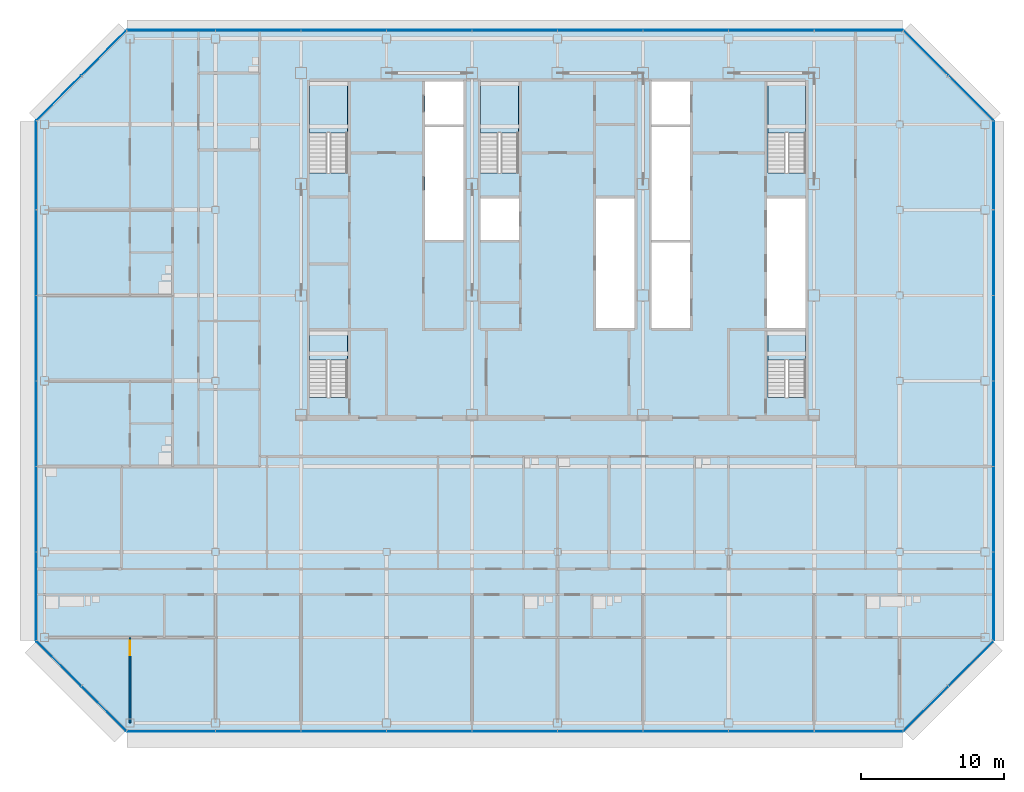
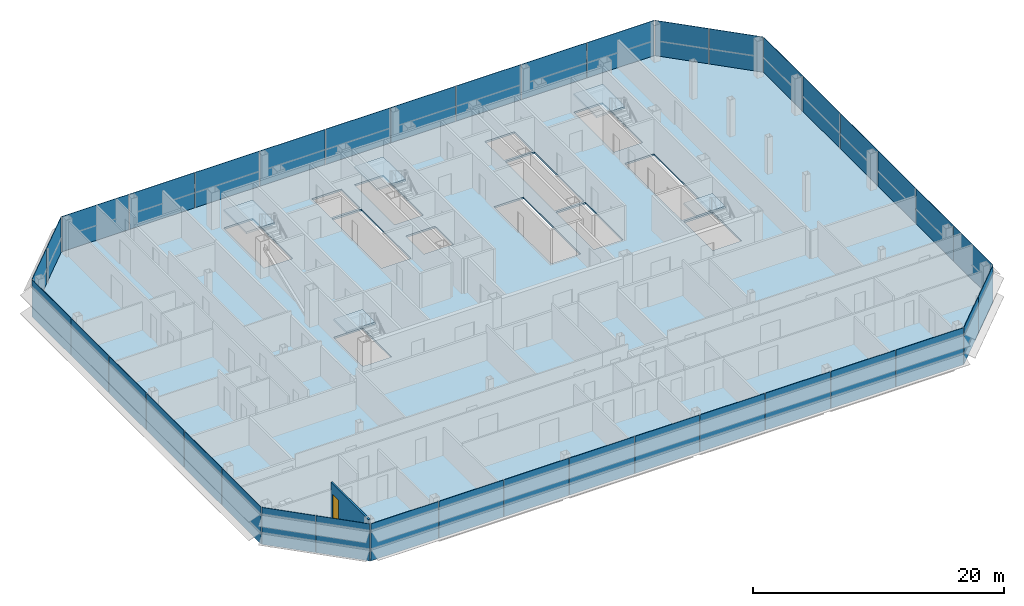
# One storey, part 20 of 28: 38 plates, 6 slabs, 1 door, 1 wall, 1 opening, 13 elements without a shape of their own.
"""IFC4 building model written with IfcOpenShell, lengths in metres."""

from ifc_helpers import new_model, si_unit, direction, frame, frame_2d, origin, origin_2d, place, context, subcontext, project, spatial, polyline, rectangle, outline, extrude, material, layer, layer_set, type_object, element, fill, aggregate, save


model = new_model("IFC4")

# Units and contexts
model_context = context("Model", 3, precision=1e-05, world=origin(), true_north=direction((0.0, 1.0)))
body_context = subcontext(model_context, "Body", "Model", "MODEL_VIEW")
ifc_project = project(units=[si_unit("LENGTHUNIT", "METRE"), si_unit("AREAUNIT", "SQUARE_METRE"), si_unit("VOLUMEUNIT", "CUBIC_METRE"), si_unit("PLANEANGLEUNIT", "RADIAN"), si_unit("MASSUNIT", "GRAM", prefix="KILO")], contexts=[model_context])

# Site, building, storey
site_placement = place(None, origin())
site = spatial("IfcSite", under=ifc_project, at=site_placement, CompositionType="ELEMENT")
building_placement = place(site_placement, origin())
building = spatial("IfcBuilding", under=site, at=building_placement, Name="Sorahane Residences", CompositionType="ELEMENT")
storey_placement = place(building_placement, frame((0.0, 0.0, 270.199951171875)))
storey = spatial("IfcBuildingStorey", under=building, at=storey_placement, Name="L64", CompositionType="ELEMENT", Elevation=270.199951171875)

# Slab
ifc_material_1 = material(Name="Concrete C35", Category="concrete")
ifc_layer_1 = layer(ifc_material_1, 0.179931640625)
ifc_layer_set_1 = layer_set([ifc_layer_1], Name="Composite floor slab 180 mm Concrete C35")
slab_type_1 = type_object("IfcSlabType", Name="Composite floor slab 180 mm Concrete C35", PredefinedType="FLOOR", material=ifc_layer_set_1)
slab_1_placement = place(storey_placement, frame((0.0, 0.0, -0.179931640625)))
element("IfcSlab", 1, at=slab_1_placement, inside=storey, type_object=slab_type_1, Name="Slab L64", PredefinedType="FLOOR", context=body_context, shape_type="SweptSolid", body=[
    extrude(outline(polyline([(-6.24853515625, -0.60009765625), (-12.60009765625, 5.75146484375), (-12.60009765625, 42.24853515625), (-6.24853515625, 48.60009765625), (48.24853515625, 48.60009765625), (54.60009765625, 42.24853515625), (54.60009765625, 5.75146484375), (48.24853515625, -0.60009765625), (-6.24853515625, -0.60009765625)]), holes=[polyline([(38.699951171875, 27.699951171875), (41.39990234375, 27.699951171875), (41.39990234375, 36.800048828125), (38.699951171875, 36.800048828125), (38.699951171875, 27.699951171875)]), polyline([(30.60009765625, 27.699951171875), (33.300048828125, 27.699951171875), (33.300048828125, 33.699951171875), (30.60009765625, 33.699951171875), (30.60009765625, 27.699951171875)]), polyline([(30.60009765625, 42.0), (33.300048828125, 42.0), (33.300048828125, 45.0), (30.60009765625, 45.0), (30.60009765625, 42.0)]), polyline([(14.699951171875, 42.0), (17.39990234375, 42.0), (17.39990234375, 45.0), (14.699951171875, 45.0), (14.699951171875, 42.0)]), polyline([(9.25, 38.60009765625), (9.25, 45.0), (6.60009765625, 45.0), (6.60009765625, 38.60009765625), (9.25, 38.60009765625)]), polyline([(41.39990234375, 38.60009765625), (41.39990234375, 45.0), (38.75, 45.0), (38.75, 38.60009765625), (41.39990234375, 38.60009765625)]), polyline([(21.25, 38.60009765625), (21.25, 45.0), (18.60009765625, 45.0), (18.60009765625, 38.60009765625), (21.25, 38.60009765625)]), polyline([(9.25, 22.85009765625), (9.25, 27.5), (6.60009765625, 27.5), (6.60009765625, 22.85009765625), (9.25, 22.85009765625)]), polyline([(41.39990234375, 22.85009765625), (41.39990234375, 27.5), (38.75, 27.5), (38.75, 22.85009765625), (41.39990234375, 22.85009765625)]), polyline([(14.699951171875, 33.89990234375), (17.39990234375, 33.89990234375), (17.39990234375, 41.800048828125), (14.699951171875, 41.800048828125), (14.699951171875, 33.89990234375)]), polyline([(30.60009765625, 33.89990234375), (33.300048828125, 33.89990234375), (33.300048828125, 41.800048828125), (30.60009765625, 41.800048828125), (30.60009765625, 33.89990234375)]), polyline([(18.60009765625, 33.89990234375), (21.300048828125, 33.89990234375), (21.300048828125, 36.800048828125), (18.60009765625, 36.800048828125), (18.60009765625, 33.89990234375)]), polyline([(26.699951171875, 27.699951171875), (29.39990234375, 27.699951171875), (29.39990234375, 36.800048828125), (26.699951171875, 36.800048828125), (26.699951171875, 27.699951171875)])]), origin(), (0.0, 0.0, 1.0), 0.179931640625),
])

# Curtain wall, plates
ifc_material_2 = material(Name="Dark low-e glass and black anodised aluminium", Category="aluminium")
curtain_wall_type_1 = type_object("IfcCurtainWallType", Name="Curtain wall CW-1 Typical unitised wall", PredefinedType="NOTDEFINED", material=ifc_material_2)
curtain_wall_1_placement = place(storey_placement, origin())
curtain_wall_1 = element("IfcCurtainWall", 2, at=curtain_wall_1_placement, inside=storey, type_object=curtain_wall_type_1, Name="CW-1 curtain wall L64 S1", PredefinedType="NOTDEFINED")
ifc_material_3 = material(Name="Dark low-e glass with black ceramic frit", Category="glass")
ifc_layer_2 = layer(ifc_material_3, 0.0400390625)
ifc_layer_set_2 = layer_set([ifc_layer_2], Name="Curtain wall glass panel dark low-e with black frit spandrel band")
plate_type = type_object("IfcPlateType", Name="Curtain wall glass panel dark low-e with black frit spandrel band", PredefinedType="CURTAIN_PANEL", material=ifc_layer_set_2)
plate_1_placement = place(storey_placement, frame((-3.11181640625, -0.60009765625, -0.179931640625), z_axis=(0.0, 0.0, 1.0), x_axis=(1.0, 0.0, 0.0)))
plate_1 = element("IfcPlate", 3, at=plate_1_placement, type_object=plate_type, Name="CW-1 glass panel L64 S1.1", PredefinedType="CURTAIN_PANEL", context=body_context, shape_type="SweptSolid", body=[
    extrude(rectangle(XDim=6.173583984375, YDim=0.0400390625, at=origin_2d()), origin(), (0.0, 0.0, 1.0), 3.60009765625),
])
plate_2_placement = place(storey_placement, frame((3.0, -0.60009765625, -0.179931640625), z_axis=(0.0, 0.0, 1.0), x_axis=(1.0, 0.0, 0.0)))
plate_2 = element("IfcPlate", 4, at=plate_2_placement, type_object=plate_type, Name="CW-1 glass panel L64 S1.2", PredefinedType="CURTAIN_PANEL", context=body_context, shape_type="SweptSolid", body=[
    extrude(rectangle(XDim=5.949951171875, YDim=0.0400390625, at=origin_2d()), origin(), (0.0, 0.0, 1.0), 3.60009765625),
])
plate_3_placement = place(storey_placement, frame((9.0, -0.60009765625, -0.179931640625), z_axis=(0.0, 0.0, 1.0), x_axis=(1.0, 0.0, 0.0)))
plate_3 = element("IfcPlate", 5, at=plate_3_placement, type_object=plate_type, Name="CW-1 glass panel L64 S1.3", PredefinedType="CURTAIN_PANEL", context=body_context, shape_type="SweptSolid", body=[
    extrude(rectangle(XDim=5.949951171875, YDim=0.0400390625, at=origin_2d()), origin(), (0.0, 0.0, 1.0), 3.60009765625),
])
plate_4_placement = place(storey_placement, frame((15.0, -0.60009765625, -0.179931640625), z_axis=(0.0, 0.0, 1.0), x_axis=(1.0, 0.0, 0.0)))
plate_4 = element("IfcPlate", 6, at=plate_4_placement, type_object=plate_type, Name="CW-1 glass panel L64 S1.4", PredefinedType="CURTAIN_PANEL", context=body_context, shape_type="SweptSolid", body=[
    extrude(rectangle(XDim=5.949951171875, YDim=0.0400390625, at=origin_2d()), origin(), (0.0, 0.0, 1.0), 3.60009765625),
])
plate_5_placement = place(storey_placement, frame((21.0, -0.60009765625, -0.179931640625), z_axis=(0.0, 0.0, 1.0), x_axis=(1.0, 0.0, 0.0)))
plate_5 = element("IfcPlate", 7, at=plate_5_placement, type_object=plate_type, Name="CW-1 glass panel L64 S1.5", PredefinedType="CURTAIN_PANEL", context=body_context, shape_type="SweptSolid", body=[
    extrude(rectangle(XDim=5.949951171875, YDim=0.0400390625, at=origin_2d()), origin(), (0.0, 0.0, 1.0), 3.60009765625),
])
plate_6_placement = place(storey_placement, frame((27.0, -0.60009765625, -0.179931640625), z_axis=(0.0, 0.0, 1.0), x_axis=(1.0, 0.0, 0.0)))
plate_6 = element("IfcPlate", 8, at=plate_6_placement, type_object=plate_type, Name="CW-1 glass panel L64 S1.6", PredefinedType="CURTAIN_PANEL", context=body_context, shape_type="SweptSolid", body=[
    extrude(rectangle(XDim=5.949951171875, YDim=0.0400390625, at=origin_2d()), origin(), (0.0, 0.0, 1.0), 3.60009765625),
])
plate_7_placement = place(storey_placement, frame((33.0, -0.60009765625, -0.179931640625), z_axis=(0.0, 0.0, 1.0), x_axis=(1.0, 0.0, 0.0)))
plate_7 = element("IfcPlate", 9, at=plate_7_placement, type_object=plate_type, Name="CW-1 glass panel L64 S1.7", PredefinedType="CURTAIN_PANEL", context=body_context, shape_type="SweptSolid", body=[
    extrude(rectangle(XDim=5.949951171875, YDim=0.0400390625, at=origin_2d()), origin(), (0.0, 0.0, 1.0), 3.60009765625),
])
plate_8_placement = place(storey_placement, frame((39.0, -0.60009765625, -0.179931640625), z_axis=(0.0, 0.0, 1.0), x_axis=(1.0, 0.0, 0.0)))
plate_8 = element("IfcPlate", 10, at=plate_8_placement, type_object=plate_type, Name="CW-1 glass panel L64 S1.8", PredefinedType="CURTAIN_PANEL", context=body_context, shape_type="SweptSolid", body=[
    extrude(rectangle(XDim=5.949951171875, YDim=0.0400390625, at=origin_2d()), origin(), (0.0, 0.0, 1.0), 3.60009765625),
])
plate_9_placement = place(storey_placement, frame((45.11181640625, -0.60009765625, -0.179931640625), z_axis=(0.0, 0.0, 1.0), x_axis=(1.0, 0.0, 0.0)))
plate_9 = element("IfcPlate", 11, at=plate_9_placement, type_object=plate_type, Name="CW-1 glass panel L64 S1.9", PredefinedType="CURTAIN_PANEL", context=body_context, shape_type="SweptSolid", body=[
    extrude(rectangle(XDim=6.173583984375, YDim=0.0400390625, at=origin_2d()), origin(), (0.0, 0.0, 1.0), 3.60009765625),
])
aggregate(curtain_wall_1, [plate_1, plate_2, plate_3, plate_4, plate_5, plate_6, plate_7, plate_8, plate_9])

ifc_material_4 = material(Name="Dark low-e glass and black anodised aluminium", Category="aluminium")
curtain_wall_type_2 = type_object("IfcCurtainWallType", Name="Curtain wall CW-2 Chamfer unitised wall", PredefinedType="NOTDEFINED", material=ifc_material_4)
curtain_wall_2_placement = place(storey_placement, origin())
curtain_wall_2 = element("IfcCurtainWall", 12, at=curtain_wall_2_placement, inside=storey, type_object=curtain_wall_type_2, Name="CW-2 curtain wall L64 SE1", PredefinedType="NOTDEFINED")
plate_10_placement = place(storey_placement, frame((49.84521484375, 0.996826171875, -0.179931640625), z_axis=(0.0, 0.0, 1.0), x_axis=(0.707106781187, 0.707106781187, 0.0)))
plate_10 = element("IfcPlate", 13, at=plate_10_placement, type_object=plate_type, Name="CW-2 glass panel L64 SE1.1", PredefinedType="CURTAIN_PANEL", context=body_context, shape_type="SweptSolid", body=[
    extrude(rectangle(XDim=4.416259765625, YDim=0.0400390625, at=origin_2d()), origin(), (0.0, 0.0, 1.0), 3.60009765625),
])
plate_11_placement = place(storey_placement, frame((53.003173828125, 4.15478515625, -0.179931640625), z_axis=(0.0, 0.0, 1.0), x_axis=(0.707106781187, 0.707106781187, 0.0)))
plate_11 = element("IfcPlate", 14, at=plate_11_placement, type_object=plate_type, Name="CW-2 glass panel L64 SE1.2", PredefinedType="CURTAIN_PANEL", context=body_context, shape_type="SweptSolid", body=[
    extrude(rectangle(XDim=4.416259765625, YDim=0.0400390625, at=origin_2d()), origin(), (0.0, 0.0, 1.0), 3.60009765625),
])
aggregate(curtain_wall_2, [plate_10, plate_11])

curtain_wall_3_placement = place(storey_placement, origin())
curtain_wall_3 = element("IfcCurtainWall", 15, at=curtain_wall_3_placement, inside=storey, type_object=curtain_wall_type_1, Name="CW-1 curtain wall L64 E1", PredefinedType="NOTDEFINED")
plate_12_placement = place(storey_placement, frame((54.60009765625, 8.88818359375, -0.179931640625), z_axis=(0.0, 0.0, 1.0), x_axis=(0.0, 1.0, 0.0)))
plate_12 = element("IfcPlate", 16, at=plate_12_placement, type_object=plate_type, Name="CW-1 glass panel L64 E1.1", PredefinedType="CURTAIN_PANEL", context=body_context, shape_type="SweptSolid", body=[
    extrude(rectangle(XDim=6.173583984375, YDim=0.0400390625, at=origin_2d()), origin(), (0.0, 0.0, 1.0), 3.60009765625),
])
plate_13_placement = place(storey_placement, frame((54.60009765625, 15.0, -0.179931640625), z_axis=(0.0, 0.0, 1.0), x_axis=(0.0, 1.0, 0.0)))
plate_13 = element("IfcPlate", 17, at=plate_13_placement, type_object=plate_type, Name="CW-1 glass panel L64 E1.2", PredefinedType="CURTAIN_PANEL", context=body_context, shape_type="SweptSolid", body=[
    extrude(rectangle(XDim=5.949951171875, YDim=0.0400390625, at=origin_2d()), origin(), (0.0, 0.0, 1.0), 3.60009765625),
])
plate_14_placement = place(storey_placement, frame((54.60009765625, 21.0, -0.179931640625), z_axis=(0.0, 0.0, 1.0), x_axis=(0.0, 1.0, 0.0)))
plate_14 = element("IfcPlate", 18, at=plate_14_placement, type_object=plate_type, Name="CW-1 glass panel L64 E1.3", PredefinedType="CURTAIN_PANEL", context=body_context, shape_type="SweptSolid", body=[
    extrude(rectangle(XDim=5.949951171875, YDim=0.0400390625, at=origin_2d()), origin(), (0.0, 0.0, 1.0), 3.60009765625),
])
plate_15_placement = place(storey_placement, frame((54.60009765625, 27.0, -0.179931640625), z_axis=(0.0, 0.0, 1.0), x_axis=(0.0, 1.0, 0.0)))
plate_15 = element("IfcPlate", 19, at=plate_15_placement, type_object=plate_type, Name="CW-1 glass panel L64 E1.4", PredefinedType="CURTAIN_PANEL", context=body_context, shape_type="SweptSolid", body=[
    extrude(rectangle(XDim=5.949951171875, YDim=0.0400390625, at=origin_2d()), origin(), (0.0, 0.0, 1.0), 3.60009765625),
])
plate_16_placement = place(storey_placement, frame((54.60009765625, 33.0, -0.179931640625), z_axis=(0.0, 0.0, 1.0), x_axis=(0.0, 1.0, 0.0)))
plate_16 = element("IfcPlate", 20, at=plate_16_placement, type_object=plate_type, Name="CW-1 glass panel L64 E1.5", PredefinedType="CURTAIN_PANEL", context=body_context, shape_type="SweptSolid", body=[
    extrude(rectangle(XDim=5.949951171875, YDim=0.0400390625, at=origin_2d()), origin(), (0.0, 0.0, 1.0), 3.60009765625),
])
plate_17_placement = place(storey_placement, frame((54.60009765625, 39.11181640625, -0.179931640625), z_axis=(0.0, 0.0, 1.0), x_axis=(0.0, 1.0, 0.0)))
plate_17 = element("IfcPlate", 21, at=plate_17_placement, type_object=plate_type, Name="CW-1 glass panel L64 E1.6", PredefinedType="CURTAIN_PANEL", context=body_context, shape_type="SweptSolid", body=[
    extrude(rectangle(XDim=6.173583984375, YDim=0.0400390625, at=origin_2d()), origin(), (0.0, 0.0, 1.0), 3.60009765625),
])
aggregate(curtain_wall_3, [plate_12, plate_13, plate_14, plate_15, plate_16, plate_17])

curtain_wall_4_placement = place(storey_placement, origin())
curtain_wall_4 = element("IfcCurtainWall", 22, at=curtain_wall_4_placement, inside=storey, type_object=curtain_wall_type_2, Name="CW-2 curtain wall L64 NE1", PredefinedType="NOTDEFINED")
plate_18_placement = place(storey_placement, frame((53.003173828125, 43.84521484375, -0.179931640625), z_axis=(0.0, 0.0, 1.0), x_axis=(-0.707106781187, 0.707106781187, 0.0)))
plate_18 = element("IfcPlate", 23, at=plate_18_placement, type_object=plate_type, Name="CW-2 glass panel L64 NE1.1", PredefinedType="CURTAIN_PANEL", context=body_context, shape_type="SweptSolid", body=[
    extrude(rectangle(XDim=4.416259765625, YDim=0.0400390625, at=origin_2d()), origin(), (0.0, 0.0, 1.0), 3.60009765625),
])
plate_19_placement = place(storey_placement, frame((49.84521484375, 47.003173828125, -0.179931640625), z_axis=(0.0, 0.0, 1.0), x_axis=(-0.707106781187, 0.707106781187, 0.0)))
plate_19 = element("IfcPlate", 24, at=plate_19_placement, type_object=plate_type, Name="CW-2 glass panel L64 NE1.2", PredefinedType="CURTAIN_PANEL", context=body_context, shape_type="SweptSolid", body=[
    extrude(rectangle(XDim=4.416259765625, YDim=0.0400390625, at=origin_2d()), origin(), (0.0, 0.0, 1.0), 3.60009765625),
])
aggregate(curtain_wall_4, [plate_18, plate_19])

curtain_wall_5_placement = place(storey_placement, origin())
curtain_wall_5 = element("IfcCurtainWall", 25, at=curtain_wall_5_placement, inside=storey, type_object=curtain_wall_type_1, Name="CW-1 curtain wall L64 N1", PredefinedType="NOTDEFINED")
plate_20_placement = place(storey_placement, frame((45.11181640625, 48.60009765625, -0.179931640625), z_axis=(0.0, 0.0, 1.0), x_axis=(-1.0, 0.0, 0.0)))
plate_20 = element("IfcPlate", 26, at=plate_20_placement, type_object=plate_type, Name="CW-1 glass panel L64 N1.1", PredefinedType="CURTAIN_PANEL", context=body_context, shape_type="SweptSolid", body=[
    extrude(rectangle(XDim=6.173583984375, YDim=0.0400390625, at=origin_2d()), origin(), (0.0, 0.0, 1.0), 3.60009765625),
])
plate_21_placement = place(storey_placement, frame((39.0, 48.60009765625, -0.179931640625), z_axis=(0.0, 0.0, 1.0), x_axis=(-1.0, 0.0, 0.0)))
plate_21 = element("IfcPlate", 27, at=plate_21_placement, type_object=plate_type, Name="CW-1 glass panel L64 N1.2", PredefinedType="CURTAIN_PANEL", context=body_context, shape_type="SweptSolid", body=[
    extrude(rectangle(XDim=5.949951171875, YDim=0.0400390625, at=origin_2d()), origin(), (0.0, 0.0, 1.0), 3.60009765625),
])
plate_22_placement = place(storey_placement, frame((33.0, 48.60009765625, -0.179931640625), z_axis=(0.0, 0.0, 1.0), x_axis=(-1.0, 0.0, 0.0)))
plate_22 = element("IfcPlate", 28, at=plate_22_placement, type_object=plate_type, Name="CW-1 glass panel L64 N1.3", PredefinedType="CURTAIN_PANEL", context=body_context, shape_type="SweptSolid", body=[
    extrude(rectangle(XDim=5.949951171875, YDim=0.0400390625, at=origin_2d()), origin(), (0.0, 0.0, 1.0), 3.60009765625),
])
plate_23_placement = place(storey_placement, frame((27.0, 48.60009765625, -0.179931640625), z_axis=(0.0, 0.0, 1.0), x_axis=(-1.0, 0.0, 0.0)))
plate_23 = element("IfcPlate", 29, at=plate_23_placement, type_object=plate_type, Name="CW-1 glass panel L64 N1.4", PredefinedType="CURTAIN_PANEL", context=body_context, shape_type="SweptSolid", body=[
    extrude(rectangle(XDim=5.949951171875, YDim=0.0400390625, at=origin_2d()), origin(), (0.0, 0.0, 1.0), 3.60009765625),
])
plate_24_placement = place(storey_placement, frame((21.0, 48.60009765625, -0.179931640625), z_axis=(0.0, 0.0, 1.0), x_axis=(-1.0, 0.0, 0.0)))
plate_24 = element("IfcPlate", 30, at=plate_24_placement, type_object=plate_type, Name="CW-1 glass panel L64 N1.5", PredefinedType="CURTAIN_PANEL", context=body_context, shape_type="SweptSolid", body=[
    extrude(rectangle(XDim=5.949951171875, YDim=0.0400390625, at=origin_2d()), origin(), (0.0, 0.0, 1.0), 3.60009765625),
])
plate_25_placement = place(storey_placement, frame((15.0, 48.60009765625, -0.179931640625), z_axis=(0.0, 0.0, 1.0), x_axis=(-1.0, 0.0, 0.0)))
plate_25 = element("IfcPlate", 31, at=plate_25_placement, type_object=plate_type, Name="CW-1 glass panel L64 N1.6", PredefinedType="CURTAIN_PANEL", context=body_context, shape_type="SweptSolid", body=[
    extrude(rectangle(XDim=5.949951171875, YDim=0.0400390625, at=origin_2d()), origin(), (0.0, 0.0, 1.0), 3.60009765625),
])
plate_26_placement = place(storey_placement, frame((9.0, 48.60009765625, -0.179931640625), z_axis=(0.0, 0.0, 1.0), x_axis=(-1.0, 0.0, 0.0)))
plate_26 = element("IfcPlate", 32, at=plate_26_placement, type_object=plate_type, Name="CW-1 glass panel L64 N1.7", PredefinedType="CURTAIN_PANEL", context=body_context, shape_type="SweptSolid", body=[
    extrude(rectangle(XDim=5.949951171875, YDim=0.0400390625, at=origin_2d()), origin(), (0.0, 0.0, 1.0), 3.60009765625),
])
plate_27_placement = place(storey_placement, frame((3.0, 48.60009765625, -0.179931640625), z_axis=(0.0, 0.0, 1.0), x_axis=(-1.0, 0.0, 0.0)))
plate_27 = element("IfcPlate", 33, at=plate_27_placement, type_object=plate_type, Name="CW-1 glass panel L64 N1.8", PredefinedType="CURTAIN_PANEL", context=body_context, shape_type="SweptSolid", body=[
    extrude(rectangle(XDim=5.949951171875, YDim=0.0400390625, at=origin_2d()), origin(), (0.0, 0.0, 1.0), 3.60009765625),
])
plate_28_placement = place(storey_placement, frame((-3.11181640625, 48.60009765625, -0.179931640625), z_axis=(0.0, 0.0, 1.0), x_axis=(-1.0, 0.0, 0.0)))
plate_28 = element("IfcPlate", 34, at=plate_28_placement, type_object=plate_type, Name="CW-1 glass panel L64 N1.9", PredefinedType="CURTAIN_PANEL", context=body_context, shape_type="SweptSolid", body=[
    extrude(rectangle(XDim=6.173583984375, YDim=0.0400390625, at=origin_2d()), origin(), (0.0, 0.0, 1.0), 3.60009765625),
])
aggregate(curtain_wall_5, [plate_20, plate_21, plate_22, plate_23, plate_24, plate_25, plate_26, plate_27, plate_28])

curtain_wall_6_placement = place(storey_placement, origin())
curtain_wall_6 = element("IfcCurtainWall", 35, at=curtain_wall_6_placement, inside=storey, type_object=curtain_wall_type_2, Name="CW-2 curtain wall L64 NW1", PredefinedType="NOTDEFINED")
plate_29_placement = place(storey_placement, frame((-7.84521484375, 47.003173828125, -0.179931640625), z_axis=(0.0, 0.0, 1.0), x_axis=(-0.707106781187, -0.707106781187, 0.0)))
plate_29 = element("IfcPlate", 36, at=plate_29_placement, type_object=plate_type, Name="CW-2 glass panel L64 NW1.1", PredefinedType="CURTAIN_PANEL", context=body_context, shape_type="SweptSolid", body=[
    extrude(rectangle(XDim=4.416259765625, YDim=0.0400390625, at=origin_2d()), origin(), (0.0, 0.0, 1.0), 3.60009765625),
])
plate_30_placement = place(storey_placement, frame((-11.003173828125, 43.84521484375, -0.179931640625), z_axis=(0.0, 0.0, 1.0), x_axis=(-0.707106781187, -0.707106781187, 0.0)))
plate_30 = element("IfcPlate", 37, at=plate_30_placement, type_object=plate_type, Name="CW-2 glass panel L64 NW1.2", PredefinedType="CURTAIN_PANEL", context=body_context, shape_type="SweptSolid", body=[
    extrude(rectangle(XDim=4.416259765625, YDim=0.0400390625, at=origin_2d()), origin(), (0.0, 0.0, 1.0), 3.60009765625),
])
aggregate(curtain_wall_6, [plate_29, plate_30])

curtain_wall_7_placement = place(storey_placement, origin())
curtain_wall_7 = element("IfcCurtainWall", 38, at=curtain_wall_7_placement, inside=storey, type_object=curtain_wall_type_1, Name="CW-1 curtain wall L64 W1", PredefinedType="NOTDEFINED")
plate_31_placement = place(storey_placement, frame((-12.60009765625, 39.11181640625, -0.179931640625), z_axis=(0.0, 0.0, 1.0), x_axis=(0.0, -1.0, 0.0)))
plate_31 = element("IfcPlate", 39, at=plate_31_placement, type_object=plate_type, Name="CW-1 glass panel L64 W1.1", PredefinedType="CURTAIN_PANEL", context=body_context, shape_type="SweptSolid", body=[
    extrude(rectangle(XDim=6.173583984375, YDim=0.0400390625, at=origin_2d()), origin(), (0.0, 0.0, 1.0), 3.60009765625),
])
plate_32_placement = place(storey_placement, frame((-12.60009765625, 33.0, -0.179931640625), z_axis=(0.0, 0.0, 1.0), x_axis=(0.0, -1.0, 0.0)))
plate_32 = element("IfcPlate", 40, at=plate_32_placement, type_object=plate_type, Name="CW-1 glass panel L64 W1.2", PredefinedType="CURTAIN_PANEL", context=body_context, shape_type="SweptSolid", body=[
    extrude(rectangle(XDim=5.949951171875, YDim=0.0400390625, at=origin_2d()), origin(), (0.0, 0.0, 1.0), 3.60009765625),
])
plate_33_placement = place(storey_placement, frame((-12.60009765625, 27.0, -0.179931640625), z_axis=(0.0, 0.0, 1.0), x_axis=(0.0, -1.0, 0.0)))
plate_33 = element("IfcPlate", 41, at=plate_33_placement, type_object=plate_type, Name="CW-1 glass panel L64 W1.3", PredefinedType="CURTAIN_PANEL", context=body_context, shape_type="SweptSolid", body=[
    extrude(rectangle(XDim=5.949951171875, YDim=0.0400390625, at=origin_2d()), origin(), (0.0, 0.0, 1.0), 3.60009765625),
])
plate_34_placement = place(storey_placement, frame((-12.60009765625, 21.0, -0.179931640625), z_axis=(0.0, 0.0, 1.0), x_axis=(0.0, -1.0, 0.0)))
plate_34 = element("IfcPlate", 42, at=plate_34_placement, type_object=plate_type, Name="CW-1 glass panel L64 W1.4", PredefinedType="CURTAIN_PANEL", context=body_context, shape_type="SweptSolid", body=[
    extrude(rectangle(XDim=5.949951171875, YDim=0.0400390625, at=origin_2d()), origin(), (0.0, 0.0, 1.0), 3.60009765625),
])
plate_35_placement = place(storey_placement, frame((-12.60009765625, 15.0, -0.179931640625), z_axis=(0.0, 0.0, 1.0), x_axis=(0.0, -1.0, 0.0)))
plate_35 = element("IfcPlate", 43, at=plate_35_placement, type_object=plate_type, Name="CW-1 glass panel L64 W1.5", PredefinedType="CURTAIN_PANEL", context=body_context, shape_type="SweptSolid", body=[
    extrude(rectangle(XDim=5.949951171875, YDim=0.0400390625, at=origin_2d()), origin(), (0.0, 0.0, 1.0), 3.60009765625),
])
plate_36_placement = place(storey_placement, frame((-12.60009765625, 8.88818359375, -0.179931640625), z_axis=(0.0, 0.0, 1.0), x_axis=(0.0, -1.0, 0.0)))
plate_36 = element("IfcPlate", 44, at=plate_36_placement, type_object=plate_type, Name="CW-1 glass panel L64 W1.6", PredefinedType="CURTAIN_PANEL", context=body_context, shape_type="SweptSolid", body=[
    extrude(rectangle(XDim=6.173583984375, YDim=0.0400390625, at=origin_2d()), origin(), (0.0, 0.0, 1.0), 3.60009765625),
])
aggregate(curtain_wall_7, [plate_31, plate_32, plate_33, plate_34, plate_35, plate_36])

curtain_wall_8_placement = place(storey_placement, origin())
curtain_wall_8 = element("IfcCurtainWall", 45, at=curtain_wall_8_placement, inside=storey, type_object=curtain_wall_type_2, Name="CW-2 curtain wall L64 SW1", PredefinedType="NOTDEFINED")
plate_37_placement = place(storey_placement, frame((-11.003173828125, 4.15478515625, -0.179931640625), z_axis=(0.0, 0.0, 1.0), x_axis=(0.707106781187, -0.707106781187, 0.0)))
plate_37 = element("IfcPlate", 46, at=plate_37_placement, type_object=plate_type, Name="CW-2 glass panel L64 SW1.1", PredefinedType="CURTAIN_PANEL", context=body_context, shape_type="SweptSolid", body=[
    extrude(rectangle(XDim=4.416259765625, YDim=0.0400390625, at=origin_2d()), origin(), (0.0, 0.0, 1.0), 3.60009765625),
])
plate_38_placement = place(storey_placement, frame((-7.84521484375, 0.996826171875, -0.179931640625), z_axis=(0.0, 0.0, 1.0), x_axis=(0.707106781187, -0.707106781187, 0.0)))
plate_38 = element("IfcPlate", 47, at=plate_38_placement, type_object=plate_type, Name="CW-2 glass panel L64 SW1.2", PredefinedType="CURTAIN_PANEL", context=body_context, shape_type="SweptSolid", body=[
    extrude(rectangle(XDim=4.416259765625, YDim=0.0400390625, at=origin_2d()), origin(), (0.0, 0.0, 1.0), 3.60009765625),
])
aggregate(curtain_wall_8, [plate_37, plate_38])

# Stair, slab
ifc_material_5 = material(Name="Concrete C40", Category="concrete")
stair_type = type_object("IfcStairType", Name="Dog-leg stair 1250 Concrete C40", PredefinedType="HALF_TURN_STAIR", material=ifc_material_5)
stair_1_placement = place(storey_placement, origin())
stair_1 = element("IfcStair", 48, at=stair_1_placement, inside=storey, type_object=stair_type, Name="L64 Stair S1", PredefinedType="HALF_TURN_STAIR")
ifc_material_6 = material(Name="Concrete C40", Category="concrete")
ifc_layer_3 = layer(ifc_material_6, 0.199951171875)
ifc_layer_set_3 = layer_set([ifc_layer_3], Name="Stair landing 200 Concrete C40")
slab_type_2 = type_object("IfcSlabType", Name="Stair landing 200 Concrete C40", PredefinedType="LANDING", material=ifc_layer_set_3)
slab_2_placement = place(storey_placement, frame((0.0, 0.0, 1.60009765625)))
slab_2 = element("IfcSlab", 49, at=slab_2_placement, type_object=slab_type_2, Name="S1 landing 1", PredefinedType="LANDING", context=body_context, shape_type="SweptSolid", body=[
    extrude(outline(polyline([(9.25, 41.39990234375), (9.25, 45.0), (6.60009765625, 45.0), (6.60009765625, 41.39990234375), (9.25, 41.39990234375)])), origin(), (0.0, 0.0, 1.0), 0.199951171875),
])
aggregate(stair_1, [slab_2])

stair_2_placement = place(storey_placement, origin())
stair_2 = element("IfcStair", 50, at=stair_2_placement, inside=storey, type_object=stair_type, Name="L64 Stair S2", PredefinedType="HALF_TURN_STAIR")
slab_3_placement = place(storey_placement, frame((0.0, 0.0, 1.60009765625)))
slab_3 = element("IfcSlab", 51, at=slab_3_placement, type_object=slab_type_2, Name="S2 landing 1", PredefinedType="LANDING", context=body_context, shape_type="SweptSolid", body=[
    extrude(outline(polyline([(41.39990234375, 41.39990234375), (41.39990234375, 45.0), (38.75, 45.0), (38.75, 41.39990234375), (41.39990234375, 41.39990234375)])), origin(), (0.0, 0.0, 1.0), 0.199951171875),
])
aggregate(stair_2, [slab_3])

stair_3_placement = place(storey_placement, origin())
stair_3 = element("IfcStair", 52, at=stair_3_placement, inside=storey, type_object=stair_type, Name="L64 Stair S3", PredefinedType="HALF_TURN_STAIR")
slab_4_placement = place(storey_placement, frame((0.0, 0.0, 1.60009765625)))
slab_4 = element("IfcSlab", 53, at=slab_4_placement, type_object=slab_type_2, Name="S3 landing 1", PredefinedType="LANDING", context=body_context, shape_type="SweptSolid", body=[
    extrude(outline(polyline([(21.25, 41.39990234375), (21.25, 45.0), (18.60009765625, 45.0), (18.60009765625, 41.39990234375), (21.25, 41.39990234375)])), origin(), (0.0, 0.0, 1.0), 0.199951171875),
])
aggregate(stair_3, [slab_4])

stair_4_placement = place(storey_placement, origin())
stair_4 = element("IfcStair", 54, at=stair_4_placement, inside=storey, type_object=stair_type, Name="L64 Stair S4", PredefinedType="HALF_TURN_STAIR")
slab_5_placement = place(storey_placement, frame((0.0, 0.0, 1.60009765625)))
slab_5 = element("IfcSlab", 55, at=slab_5_placement, type_object=slab_type_2, Name="S4 landing 1", PredefinedType="LANDING", context=body_context, shape_type="SweptSolid", body=[
    extrude(outline(polyline([(9.25, 25.449951171875), (9.25, 27.5), (6.60009765625, 27.5), (6.60009765625, 25.449951171875), (9.25, 25.449951171875)])), origin(), (0.0, 0.0, 1.0), 0.199951171875),
])
aggregate(stair_4, [slab_5])

stair_5_placement = place(storey_placement, origin())
stair_5 = element("IfcStair", 56, at=stair_5_placement, inside=storey, type_object=stair_type, Name="L64 Stair S5", PredefinedType="HALF_TURN_STAIR")
slab_6_placement = place(storey_placement, frame((0.0, 0.0, 1.60009765625)))
slab_6 = element("IfcSlab", 57, at=slab_6_placement, type_object=slab_type_2, Name="S5 landing 1", PredefinedType="LANDING", context=body_context, shape_type="SweptSolid", body=[
    extrude(outline(polyline([(41.39990234375, 25.449951171875), (41.39990234375, 27.5), (38.75, 27.5), (38.75, 25.449951171875), (41.39990234375, 25.449951171875)])), origin(), (0.0, 0.0, 1.0), 0.199951171875),
])
aggregate(stair_5, [slab_6])

# Wall, opening, door
ifc_material_7 = material(Name="Gypsum board partition on steel studs", Category="steel")
ifc_layer_4 = layer(ifc_material_7, 0.14990234375)
ifc_layer_set_4 = layer_set([ifc_layer_4], Name="Partition 150 EI 90")
wall_type = type_object("IfcWallType", Name="Partition 150 EI 90", PredefinedType="PARTITIONING", material=ifc_layer_set_4)
wall_placement = place(storey_placement, frame((-6.0, 0.0, 0.0), z_axis=(0.0, 0.0, 1.0), x_axis=(0.0, 1.0, 0.0)))
wall = element("IfcWall", 58, at=wall_placement, inside=storey, type_object=wall_type, Name="L64 partition", PredefinedType="PARTITIONING", context=body_context, shape_type="SweptSolid", body=[
    extrude(rectangle(XDim=6.0, YDim=0.14990234375, at=frame_2d((3.0, 0.0))), origin(), (0.0, 0.0, 1.0), 3.420166015625),
])
opening_placement = place(wall_placement, frame((4.75, 0.0, 0.0)))
opening = element("IfcOpeningElement", 59, at=opening_placement, cuts=wall, Name="Opening L64-11", PredefinedType="OPENING", context=body_context, shape_type="SweptSolid", body=[
    extrude(rectangle(XDim=1.0, YDim=2.39990234375, at=frame_2d((0.5, 1.199951171875))), frame((0.0, 0.0849609375, 0.0), z_axis=(0.0, -1.0, 0.0), x_axis=(1.0, 0.0, 0.0)), (0.0, 0.0, 1.0), 0.169921875),
])
ifc_material_8 = material(Name="Timber veneered fire door", Category="wood")
door_type = type_object("IfcDoorType", Name="Room door 1000x2400 FD30", OperationType="NOTDEFINED", PredefinedType="DOOR", material=ifc_material_8)
door_placement = place(opening_placement, origin())
door = element("IfcDoor", 60, at=door_placement, inside=storey, type_object=door_type, Name="Room door L64-11", OperationType="SINGLE_SWING_LEFT", OverallHeight=2.39990234375, OverallWidth=1.0, PredefinedType="DOOR", context=body_context, shape_type="SweptSolid", body=[
    extrude(rectangle(XDim=1.0, YDim=2.39990234375, at=frame_2d((0.5, 1.199951171875))), frame((0.0, 0.02490234375, 0.0), z_axis=(0.0, -1.0, 0.0), x_axis=(1.0, 0.0, 0.0)), (0.0, 0.0, 1.0), 0.050048828125),
])
fill(opening, door)

save(model, "model.ifc")
